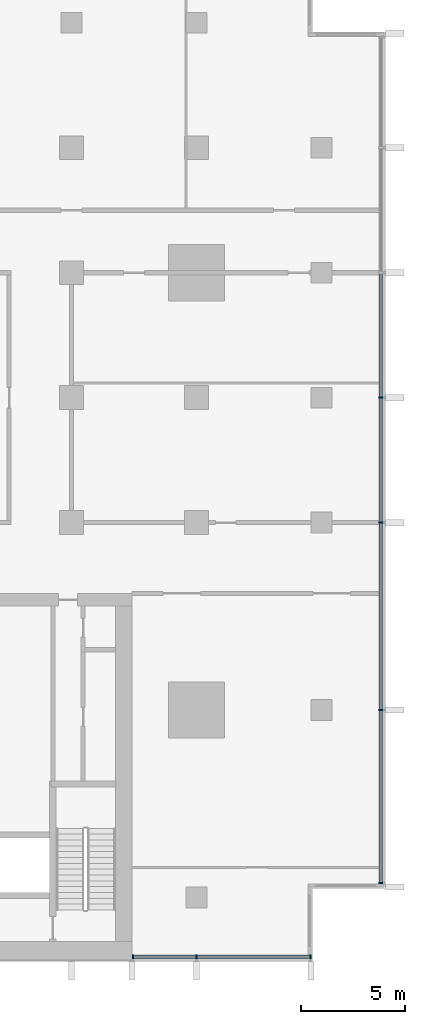
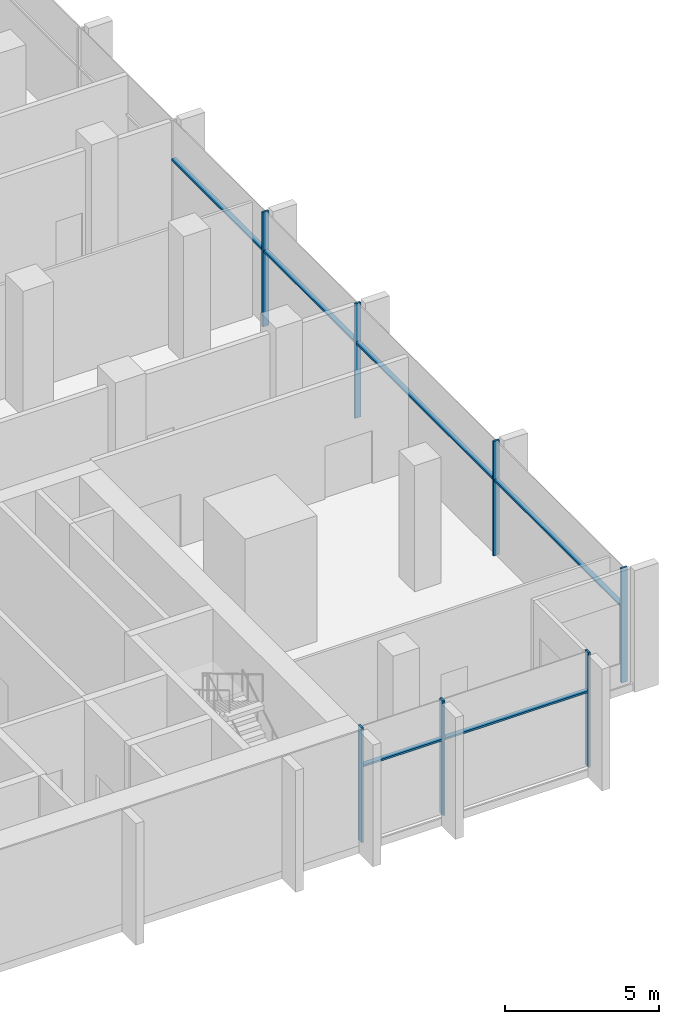
# One storey, part 3 of 15: 13 members, 2 elements without a shape of their own.
"""IFC4 building model written with IfcOpenShell, lengths in metres."""

from ifc_helpers import new_model, si_unit, direction, frame, origin, origin_2d, place, context, subcontext, project, spatial, rectangle, extrude, material, material_profile, profile_set, type_object, element, aggregate, save


model = new_model("IFC4")

# Units and contexts
model_context = context("Model", 3, precision=1e-05, world=origin(), true_north=direction((0.0, 1.0)))
body_context = subcontext(model_context, "Body", "Model", "MODEL_VIEW")
ifc_project = project(units=[si_unit("LENGTHUNIT", "METRE"), si_unit("AREAUNIT", "SQUARE_METRE"), si_unit("VOLUMEUNIT", "CUBIC_METRE"), si_unit("PLANEANGLEUNIT", "RADIAN"), si_unit("MASSUNIT", "GRAM", prefix="KILO")], contexts=[model_context])

# Site, building, storey
site_placement = place(None, origin())
site = spatial("IfcSite", under=ifc_project, at=site_placement, CompositionType="ELEMENT")
building_placement = place(site_placement, origin())
building = spatial("IfcBuilding", under=site, at=building_placement, Name="Finial Court Residences", CompositionType="ELEMENT")
storey_placement = place(building_placement, frame((0.0, 0.0, 138.89990234375)))
storey = spatial("IfcBuildingStorey", under=building, at=storey_placement, Name="L34", CompositionType="ELEMENT", Elevation=138.89990234375)

# Curtain wall, members
ifc_material = material(Name="Bronze anodised aluminium", Category="aluminium")
curtain_wall_type = type_object("IfcCurtainWallType", Name="Sky amenity glazing", PredefinedType="NOTDEFINED", material=ifc_material)
curtain_wall_1_placement = place(storey_placement, origin())
curtain_wall_1 = element("IfcCurtainWall", 1, at=curtain_wall_1_placement, inside=storey, type_object=curtain_wall_type, Name="E-L34-CW-E2", PredefinedType="NOTDEFINED")
ifc_material_profile_1 = material_profile(ifc_material, rectangle(XDim=0.22509765625, YDim=0.074951171875, at=origin_2d()), Name="CW3 mullion 75 x 225")
ifc_profile_set_1 = profile_set([ifc_material_profile_1], Name="Bronze anodised aluminium")
member_type_1 = type_object("IfcMemberType", Name="CW3 mullion 75 x 225", PredefinedType="MULLION", material=ifc_profile_set_1)
member_1_placement = place(storey_placement, frame((25.35009765625, -21.8125, 0.0), z_axis=(0.0, 0.0, 1.0), x_axis=(-1.0, 0.0, 0.0)))
member_1 = element("IfcMember", 2, at=member_1_placement, type_object=member_type_1, Name="CW3 mullion 1", PredefinedType="MULLION", context=body_context, shape_type="SweptSolid", body=[
    extrude(rectangle(XDim=0.22509765625, YDim=0.074951171875, at=origin_2d()), origin(), (0.0, 0.0, 1.0), 4.550048828125),
])
member_2_placement = place(storey_placement, frame((25.35009765625, -13.5, 0.0), z_axis=(0.0, 0.0, 1.0), x_axis=(-1.0, 0.0, 0.0)))
member_2 = element("IfcMember", 3, at=member_2_placement, type_object=member_type_1, Name="CW3 mullion 2", PredefinedType="MULLION", context=body_context, shape_type="SweptSolid", body=[
    extrude(rectangle(XDim=0.22509765625, YDim=0.074951171875, at=origin_2d()), origin(), (0.0, 0.0, 1.0), 4.550048828125),
])
member_3_placement = place(storey_placement, frame((25.35009765625, -4.5, 0.0), z_axis=(0.0, 0.0, 1.0), x_axis=(-1.0, 0.0, 0.0)))
member_3 = element("IfcMember", 4, at=member_3_placement, type_object=member_type_1, Name="CW3 mullion 3", PredefinedType="MULLION", context=body_context, shape_type="SweptSolid", body=[
    extrude(rectangle(XDim=0.22509765625, YDim=0.074951171875, at=origin_2d()), origin(), (0.0, 0.0, 1.0), 4.550048828125),
])
member_4_placement = place(storey_placement, frame((25.35009765625, 1.5, 0.0), z_axis=(0.0, 0.0, 1.0), x_axis=(-1.0, 0.0, 0.0)))
member_4 = element("IfcMember", 5, at=member_4_placement, type_object=member_type_1, Name="CW3 mullion 4", PredefinedType="MULLION", context=body_context, shape_type="SweptSolid", body=[
    extrude(rectangle(XDim=0.22509765625, YDim=0.074951171875, at=origin_2d()), origin(), (0.0, 0.0, 1.0), 4.550048828125),
])

curtain_wall_2_placement = place(storey_placement, origin())
curtain_wall_2 = element("IfcCurtainWall", 6, at=curtain_wall_2_placement, inside=storey, type_object=curtain_wall_type, Name="E-L34-CW-S4", PredefinedType="NOTDEFINED")
member_5_placement = place(storey_placement, frame((13.4375, -25.35009765625, 0.0), z_axis=(0.0, 0.0, 1.0), x_axis=(0.0, 1.0, 0.0)))
member_5 = element("IfcMember", 7, at=member_5_placement, type_object=member_type_1, Name="CW3 mullion 1", PredefinedType="MULLION", context=body_context, shape_type="SweptSolid", body=[
    extrude(rectangle(XDim=0.22509765625, YDim=0.074951171875, at=origin_2d()), origin(), (0.0, 0.0, 1.0), 4.550048828125),
])
member_6_placement = place(storey_placement, frame((16.5, -25.35009765625, 0.0), z_axis=(0.0, 0.0, 1.0), x_axis=(0.0, 1.0, 0.0)))
member_6 = element("IfcMember", 8, at=member_6_placement, type_object=member_type_1, Name="CW3 mullion 2", PredefinedType="MULLION", context=body_context, shape_type="SweptSolid", body=[
    extrude(rectangle(XDim=0.22509765625, YDim=0.074951171875, at=origin_2d()), origin(), (0.0, 0.0, 1.0), 4.550048828125),
])
member_7_placement = place(storey_placement, frame((21.96240234375, -25.35009765625, 0.0), z_axis=(0.0, 0.0, 1.0), x_axis=(0.0, 1.0, 0.0)))
member_7 = element("IfcMember", 9, at=member_7_placement, type_object=member_type_1, Name="CW3 mullion 3", PredefinedType="MULLION", context=body_context, shape_type="SweptSolid", body=[
    extrude(rectangle(XDim=0.22509765625, YDim=0.074951171875, at=origin_2d()), origin(), (0.0, 0.0, 1.0), 4.550048828125),
])

# Member
ifc_material_profile_2 = material_profile(ifc_material, rectangle(XDim=0.175048828125, YDim=0.074951171875, at=origin_2d()), Name="CW3 transom 75 x 175")
ifc_profile_set_2 = profile_set([ifc_material_profile_2], Name="Bronze anodised aluminium")
member_type_2 = type_object("IfcMemberType", Name="CW3 transom 75 x 175", PredefinedType="USERDEFINED", material=ifc_profile_set_2)
member_8_placement = place(storey_placement, frame((25.35009765625, -21.77490234375, 3.0), z_axis=(0.0, 1.0, 0.0), x_axis=(-1.0, 0.0, 0.0)))
member_8 = element("IfcMember", 10, at=member_8_placement, type_object=member_type_2, Name="CW3 transom 1.1", ObjectType="TRANSOM", PredefinedType="USERDEFINED", context=body_context, shape_type="SweptSolid", body=[
    extrude(rectangle(XDim=0.175048828125, YDim=0.074951171875, at=origin_2d()), origin(), (0.0, 0.0, 1.0), 8.2373046875),
])

member_9_placement = place(storey_placement, frame((25.35009765625, -13.46240234375, 3.0), z_axis=(0.0, 1.0, 0.0), x_axis=(-1.0, 0.0, 0.0)))
member_9 = element("IfcMember", 11, at=member_9_placement, type_object=member_type_2, Name="CW3 transom 2.1", ObjectType="TRANSOM", PredefinedType="USERDEFINED", context=body_context, shape_type="SweptSolid", body=[
    extrude(rectangle(XDim=0.175048828125, YDim=0.074951171875, at=origin_2d()), origin(), (0.0, 0.0, 1.0), 8.9248046875),
])

member_10_placement = place(storey_placement, frame((25.35009765625, -4.46240234375, 3.0), z_axis=(0.0, 1.0, 0.0), x_axis=(-1.0, 0.0, 0.0)))
member_10 = element("IfcMember", 12, at=member_10_placement, type_object=member_type_2, Name="CW3 transom 3.1", ObjectType="TRANSOM", PredefinedType="USERDEFINED", context=body_context, shape_type="SweptSolid", body=[
    extrude(rectangle(XDim=0.175048828125, YDim=0.074951171875, at=origin_2d()), origin(), (0.0, 0.0, 1.0), 5.9248046875),
])

member_11_placement = place(storey_placement, frame((25.35009765625, 1.53759765625, 3.0), z_axis=(0.0, 1.0, 0.0), x_axis=(-1.0, 0.0, 0.0)))
member_11 = element("IfcMember", 13, at=member_11_placement, type_object=member_type_2, Name="CW3 transom 4.1", ObjectType="TRANSOM", PredefinedType="USERDEFINED", context=body_context, shape_type="SweptSolid", body=[
    extrude(rectangle(XDim=0.175048828125, YDim=0.074951171875, at=origin_2d()), origin(), (0.0, 0.0, 1.0), 5.9248046875),
])

aggregate(curtain_wall_1, [member_1, member_2, member_3, member_4, member_8, member_9, member_10, member_11])

member_12_placement = place(storey_placement, frame((13.47509765625, -25.35009765625, 3.0), z_axis=(1.0, 0.0, 0.0), x_axis=(0.0, 1.0, 0.0)))
member_12 = element("IfcMember", 14, at=member_12_placement, type_object=member_type_2, Name="CW3 transom 1.1", ObjectType="TRANSOM", PredefinedType="USERDEFINED", context=body_context, shape_type="SweptSolid", body=[
    extrude(rectangle(XDim=0.175048828125, YDim=0.074951171875, at=origin_2d()), origin(), (0.0, 0.0, 1.0), 2.9873046875),
])

member_13_placement = place(storey_placement, frame((16.53759765625, -25.35009765625, 3.0), z_axis=(1.0, 0.0, 0.0), x_axis=(0.0, 1.0, 0.0)))
member_13 = element("IfcMember", 15, at=member_13_placement, type_object=member_type_2, Name="CW3 transom 2.1", ObjectType="TRANSOM", PredefinedType="USERDEFINED", context=body_context, shape_type="SweptSolid", body=[
    extrude(rectangle(XDim=0.175048828125, YDim=0.074951171875, at=origin_2d()), origin(), (0.0, 0.0, 1.0), 5.387451171875),
])

aggregate(curtain_wall_2, [member_5, member_6, member_7, member_12, member_13])

save(model, "model.ifc")
